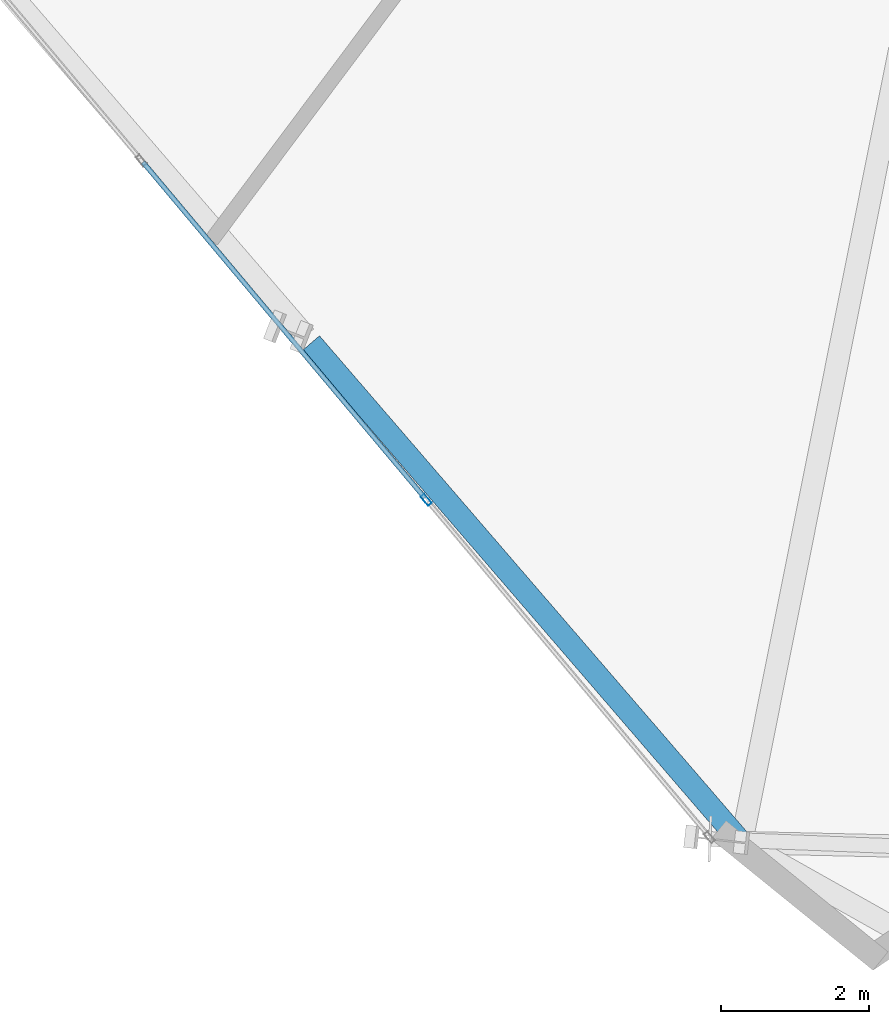
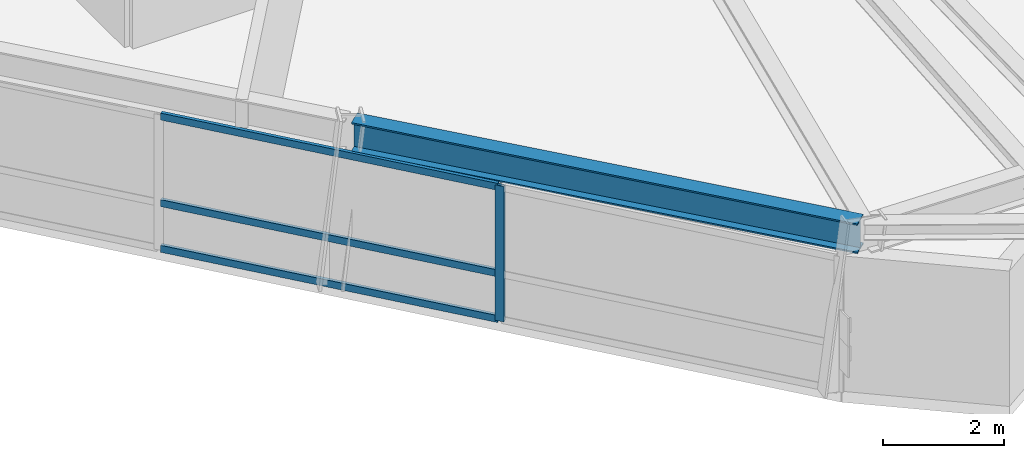
# One storey, part 2 of 15: 4 members, 1 beam, 1 element without a shape of its own.
"""IFC4 building model written with IfcOpenShell, lengths in metres."""

from ifc_helpers import new_model, si_unit, direction, frame, origin, origin_2d, place, context, subcontext, project, spatial, hollow_rectangle, i_section, extrude, source, transform, mapped, material, material_profile, profile_set, type_object, element, aggregate, save


model = new_model("IFC4")

# Units and contexts
model_context = context("Model", 3, precision=1e-05, world=origin(), true_north=direction((0.0, 1.0)))
body_context = subcontext(model_context, "Body", "Model", "MODEL_VIEW")
ifc_project = project(units=[si_unit("LENGTHUNIT", "METRE"), si_unit("AREAUNIT", "SQUARE_METRE"), si_unit("VOLUMEUNIT", "CUBIC_METRE"), si_unit("PLANEANGLEUNIT", "RADIAN"), si_unit("MASSUNIT", "GRAM", prefix="KILO")], contexts=[model_context])

# Site, building, storey
site_placement = place(None, origin())
site = spatial("IfcSite", under=ifc_project, at=site_placement, CompositionType="ELEMENT")
building_placement = place(site_placement, origin())
building = spatial("IfcBuilding", under=site, at=building_placement, Name="Olszyna Solenne Hotel", CompositionType="ELEMENT")
storey_placement = place(building_placement, frame((0.0, 0.0, 164.35009765625)))
storey = spatial("IfcBuildingStorey", under=building, at=storey_placement, Name="L43", CompositionType="ELEMENT", Elevation=164.35009765625)

# Beam
ifc_material_1 = material(Name="Steel S355J2", Category="steel")
ifc_material_profile_1 = material_profile(ifc_material_1, i_section(OverallWidth=0.300048828125, OverallDepth=0.60009765625, WebThickness=0.015380859375, FlangeThickness=0.030029296875, at=origin_2d()), Name="HEB 600", Category="load-bearing")
ifc_profile_set_1 = profile_set([ifc_material_profile_1], Name="Steel S355J2")
beam_type = type_object("IfcBeamType", Name="BM-S2", PredefinedType="BEAM", material=ifc_profile_set_1)
shared_shape_1 = source(origin(), body_context, "Body", "SweptSolid", [
    extrude(i_section(OverallWidth=0.300048828125, OverallDepth=0.60009765625, WebThickness=0.015380859375, FlangeThickness=0.030029296875, at=origin_2d()), origin(), (0.0, 0.0, 1.0), 8.824951171875),
])
beam_placement = place(storey_placement, frame((27.397705078125, 9.251953125, 3.02978515625), z_axis=(0.652809911796, -0.757521761444, 0.0), x_axis=(0.757521761444, 0.652809911796, 0.0)))
element("IfcBeam", 1, at=beam_placement, inside=storey, type_object=beam_type, Name="Perimeter spandrel beam BM-S2 B-L43-1281", PredefinedType="BEAM", context=body_context, shape_type="MappedRepresentation", body=[
    mapped(shared_shape_1, transform((0.0, 0.0, 0.0), x_axis=(1.0, 0.0, 0.0), y_axis=(0.0, 1.0, 0.0), z_axis=(0.0, 0.0, 1.0), scale=1.0)),
])

# Curtain wall, members
ifc_material_2 = material(Name="Anodised bronze aluminium", Category="aluminium")
curtain_wall_type = type_object("IfcCurtainWallType", Name="CW-SYS-4", PredefinedType="NOTDEFINED", material=ifc_material_2)
curtain_wall_placement = place(storey_placement, origin())
curtain_wall = element("IfcCurtainWall", 2, at=curtain_wall_placement, inside=storey, type_object=curtain_wall_type, Name="Unitised curtain wall CW-SYS-4 CW-L43-01", PredefinedType="NOTDEFINED")
ifc_material_profile_2 = material_profile(ifc_material_2, hollow_rectangle(XDim=0.06494140625, YDim=0.159912109375, WallThickness=0.00390625, at=origin_2d()), Name="MULL 160x65x4", Category="load-bearing")
ifc_profile_set_2 = profile_set([ifc_material_profile_2], Name="Anodised bronze aluminium")
member_type_1 = type_object("IfcMemberType", Name="CW-M3", PredefinedType="MULLION", material=ifc_profile_set_2)
shared_shape_2 = source(origin(), body_context, "Body", "SweptSolid", [
    extrude(hollow_rectangle(XDim=0.06494140625, YDim=0.159912109375, WallThickness=0.00390625, at=origin_2d()), origin(), (0.0, 0.0, 1.0), 2.721923828125),
])
member_1_placement = place(storey_placement, frame((28.950439453125, 7.14013671875, 0.0), z_axis=(0.0, 0.0, 1.0), x_axis=(0.765950881507, 0.642899095597, 0.0)))
member_1 = element("IfcMember", 3, at=member_1_placement, type_object=member_type_1, Name="Curtain-wall mullion CW-M3 CM-L43-01-03", PredefinedType="MULLION", context=body_context, shape_type="MappedRepresentation", body=[
    mapped(shared_shape_2, transform((0.0, 0.0, 0.0), x_axis=(1.0, 0.0, 0.0), y_axis=(0.0, 1.0, 0.0), z_axis=(0.0, 0.0, 1.0), scale=1.0)),
])
ifc_material_profile_3 = material_profile(ifc_material_2, hollow_rectangle(XDim=0.06494140625, YDim=0.139892578125, WallThickness=0.00390625, at=origin_2d()), Name="TRAN 140x65x4", Category="load-bearing")
ifc_profile_set_3 = profile_set([ifc_material_profile_3], Name="Anodised bronze aluminium")
member_type_2 = type_object("IfcMemberType", Name="CW-T2", PredefinedType="USERDEFINED", material=ifc_profile_set_3)
shared_shape_3 = source(origin(), body_context, "Body", "SweptSolid", [
    extrude(hollow_rectangle(XDim=0.06494140625, YDim=0.139892578125, WallThickness=0.00390625, at=origin_2d()), origin(), (0.0, 0.0, 1.0), 5.904541015625),
])
member_2_placement = place(storey_placement, frame((25.133544921875, 11.687744140625, 0.032470703125), z_axis=(0.6428768804, -0.765969527232, 0.0), x_axis=(0.765969527232, 0.6428768804, 0.0)))
member_2 = element("IfcMember", 4, at=member_2_placement, type_object=member_type_2, Name="Curtain-wall transom CW-T2 CT-L43-01-04", ObjectType="TRANSOM", PredefinedType="USERDEFINED", context=body_context, shape_type="MappedRepresentation", body=[
    mapped(shared_shape_3, transform((0.0, 0.0, 0.0), x_axis=(1.0, 0.0, 0.0), y_axis=(0.0, 1.0, 0.0), z_axis=(0.0, 0.0, 1.0), scale=1.0)),
])
member_3_placement = place(storey_placement, frame((25.133544921875, 11.687744140625, 0.949951171875), z_axis=(0.6428768804, -0.765969527232, 0.0), x_axis=(0.765969527232, 0.6428768804, 0.0)))
member_3 = element("IfcMember", 5, at=member_3_placement, type_object=member_type_2, Name="Curtain-wall transom CW-T2 CT-L43-01-05", ObjectType="TRANSOM", PredefinedType="USERDEFINED", context=body_context, shape_type="MappedRepresentation", body=[
    mapped(shared_shape_3, transform((0.0, 0.0, 0.0), x_axis=(1.0, 0.0, 0.0), y_axis=(0.0, 1.0, 0.0), z_axis=(0.0, 0.0, 1.0), scale=1.0)),
])
member_4_placement = place(storey_placement, frame((25.133544921875, 11.687744140625, 2.689453125), z_axis=(0.6428768804, -0.765969527232, 0.0), x_axis=(0.765969527232, 0.6428768804, 0.0)))
member_4 = element("IfcMember", 6, at=member_4_placement, type_object=member_type_2, Name="Curtain-wall transom CW-T2 CT-L43-01-06", ObjectType="TRANSOM", PredefinedType="USERDEFINED", context=body_context, shape_type="MappedRepresentation", body=[
    mapped(shared_shape_3, transform((0.0, 0.0, 0.0), x_axis=(1.0, 0.0, 0.0), y_axis=(0.0, 1.0, 0.0), z_axis=(0.0, 0.0, 1.0), scale=1.0)),
])
aggregate(curtain_wall, [member_1, member_2, member_3, member_4])

save(model, "model.ifc")
